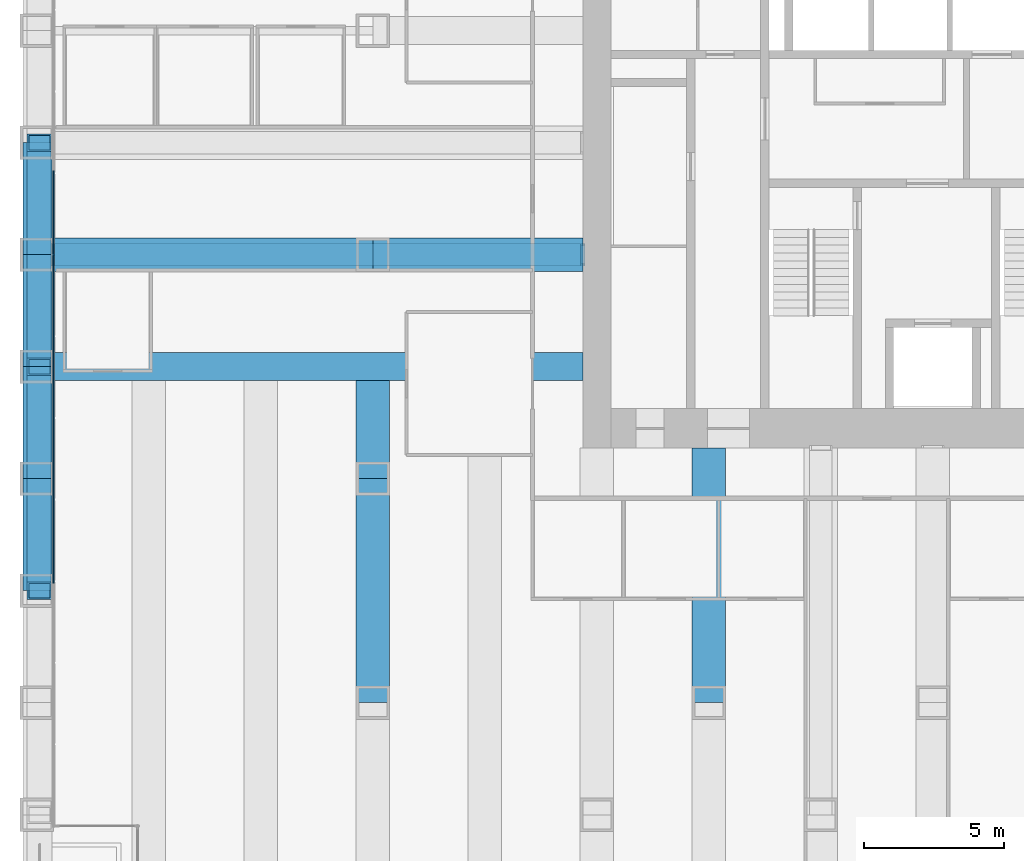
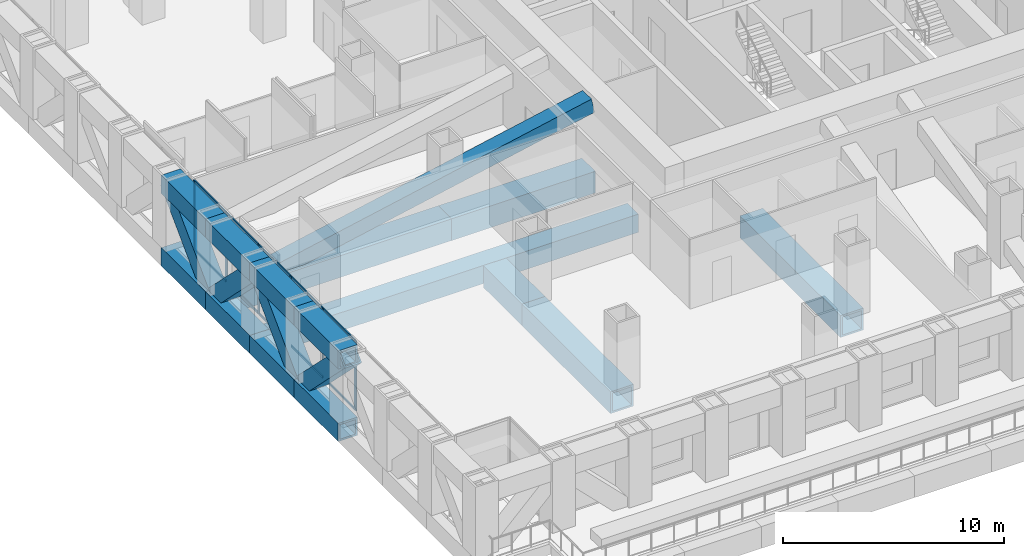
# One storey, part 4 of 18: 21 members, 14 beams, 1 element without a shape of its own.
"""IFC4 building model written with IfcOpenShell, lengths in metres."""

from ifc_helpers import new_model, si_unit, direction, frame, origin, origin_2d, place, context, subcontext, project, spatial, rectangle, hollow_rectangle, extrude, material, material_profile, profile_set, type_object, element, aggregate, save


model = new_model("IFC4")

# Units and contexts
model_context = context("Model", 3, precision=1e-05, world=origin(), true_north=direction((0.0, 1.0)))
body_context = subcontext(model_context, "Body", "Model", "MODEL_VIEW")
ifc_project = project(units=[si_unit("LENGTHUNIT", "METRE"), si_unit("AREAUNIT", "SQUARE_METRE"), si_unit("VOLUMEUNIT", "CUBIC_METRE"), si_unit("PLANEANGLEUNIT", "RADIAN"), si_unit("MASSUNIT", "GRAM", prefix="KILO")], contexts=[model_context])

# Site, building, storey
site_placement = place(None, origin())
site = spatial("IfcSite", under=ifc_project, at=site_placement, CompositionType="ELEMENT")
building_placement = place(site_placement, origin())
building = spatial("IfcBuilding", under=site, at=building_placement, Name="Rimbunsela Tower", CompositionType="ELEMENT")
storey_placement = place(building_placement, frame((0.0, 0.0, 43.0)))
storey = spatial("IfcBuildingStorey", under=building, at=storey_placement, Name="L10", CompositionType="ELEMENT", Elevation=43.0)

# Beams
ifc_material_1 = material(Name="Steel BJ 55 (fy 410 MPa)", Category="steel")
ifc_material_profile_1 = material_profile(ifc_material_1, hollow_rectangle(XDim=1.0, YDim=1.0, WallThickness=0.10009765625, at=origin_2d()), Name="BOX 1000x1000x100")
ifc_profile_set_1 = profile_set([ifc_material_profile_1], Name="Steel BJ 55 (fy 410 MPa)")
beam_type_1 = type_object("IfcBeamType", Name="Beam BOX 1000x1000x100", PredefinedType="BEAM", material=ifc_profile_set_1)
beam_1_placement = place(storey_placement, frame((-2.0, 20.0, -0.64990234375), z_axis=(1.0, 0.0, 0.0), x_axis=(0.0, 1.0, 0.0)))
element("IfcBeam", 1, at=beam_1_placement, inside=storey, type_object=beam_type_1, Name="Beam B3 L10", PredefinedType="BEAM", context=body_context, shape_type="SweptSolid", body=[
    extrude(hollow_rectangle(XDim=1.0, YDim=1.0, WallThickness=0.10009765625, at=origin_2d()), origin(), (0.0, 0.0, 1.0), 19.5),
])
ifc_material_2 = material(Name="Steel BJ 55 (fy 410 MPa)", Category="steel")
ifc_material_profile_2 = material_profile(ifc_material_2, hollow_rectangle(XDim=1.199951171875, YDim=1.199951171875, WallThickness=0.10009765625, at=origin_2d()), Name="BOX 1200x1200x100")
ifc_profile_set_2 = profile_set([ifc_material_profile_2], Name="Steel BJ 55 (fy 410 MPa)")
beam_type_2 = type_object("IfcBeamType", Name="Beam BOX 1200x1200x100", PredefinedType="BEAM", material=ifc_profile_set_2)
beam_2_placement = place(storey_placement, frame((-2.0, 24.0, -0.75), z_axis=(1.0, 0.0, 0.0), x_axis=(0.0, 1.0, 0.0)))
element("IfcBeam", 2, at=beam_2_placement, inside=storey, type_object=beam_type_2, Name="Beam B5 L10", PredefinedType="BEAM", context=body_context, shape_type="SweptSolid", body=[
    extrude(hollow_rectangle(XDim=1.199951171875, YDim=1.199951171875, WallThickness=0.10009765625, at=origin_2d()), origin(), (0.0, 0.0, 1.0), 12.0),
])
beam_3_placement = place(storey_placement, frame((10.0, 8.0, -0.75), z_axis=(0.0, 1.0, 0.0), x_axis=(-1.0, 0.0, 0.0)))
element("IfcBeam", 3, at=beam_3_placement, inside=storey, type_object=beam_type_2, Name="Beam B5 L10", PredefinedType="BEAM", context=body_context, shape_type="SweptSolid", body=[
    extrude(hollow_rectangle(XDim=1.199951171875, YDim=1.199951171875, WallThickness=0.10009765625, at=origin_2d()), origin(), (0.0, 0.0, 1.0), 8.0),
])
beam_4_placement = place(storey_placement, frame((10.0, 16.0, -0.75), z_axis=(0.0, 1.0, 0.0), x_axis=(-1.0, 0.0, 0.0)))
element("IfcBeam", 4, at=beam_4_placement, inside=storey, type_object=beam_type_2, Name="Beam B5 L10", PredefinedType="BEAM", context=body_context, shape_type="SweptSolid", body=[
    extrude(hollow_rectangle(XDim=1.199951171875, YDim=1.199951171875, WallThickness=0.10009765625, at=origin_2d()), origin(), (0.0, 0.0, 1.0), 3.5),
])
beam_5_placement = place(storey_placement, frame((10.0, 24.0, -0.75), z_axis=(1.0, 0.0, 0.0), x_axis=(0.0, 1.0, 0.0)))
element("IfcBeam", 5, at=beam_5_placement, inside=storey, type_object=beam_type_2, Name="Beam B5 L10", PredefinedType="BEAM", context=body_context, shape_type="SweptSolid", body=[
    extrude(hollow_rectangle(XDim=1.199951171875, YDim=1.199951171875, WallThickness=0.10009765625, at=origin_2d()), origin(), (0.0, 0.0, 1.0), 7.5),
])
beam_6_placement = place(storey_placement, frame((22.0, 8.0, -0.75), z_axis=(0.0, 1.0, 0.0), x_axis=(-1.0, 0.0, 0.0)))
element("IfcBeam", 6, at=beam_6_placement, inside=storey, type_object=beam_type_2, Name="Beam B5 L10", PredefinedType="BEAM", context=body_context, shape_type="SweptSolid", body=[
    extrude(hollow_rectangle(XDim=1.199951171875, YDim=1.199951171875, WallThickness=0.10009765625, at=origin_2d()), origin(), (0.0, 0.0, 1.0), 9.10009765625),
])

# Curtain wall, members
ifc_material_3 = material(Name="Aluminium curtain wall", Category="aluminium")
curtain_wall_type = type_object("IfcCurtainWallType", Name="Exoskeleton storey infill", PredefinedType="USERDEFINED", material=ifc_material_3)
curtain_wall_placement = place(storey_placement, origin())
curtain_wall = element("IfcCurtainWall", 7, at=curtain_wall_placement, inside=storey, type_object=curtain_wall_type, Name="Exoskeleton storey infill L10", ObjectType="EXOSKELETON STOREY INFILL", PredefinedType="USERDEFINED")
ifc_material_4 = material(Name="Aluminium mullion", Category="aluminium")
ifc_material_profile_3 = material_profile(ifc_material_4, rectangle(XDim=0.06005859375, YDim=0.159912109375, at=origin_2d()), Name="Mullion 60x160")
ifc_profile_set_3 = profile_set([ifc_material_profile_3], Name="Aluminium mullion")
member_type_1 = type_object("IfcMemberType", Name="Curtain wall mullion 60x160", PredefinedType="MULLION", material=ifc_profile_set_3)
member_1_placement = place(storey_placement, frame((-1.39990234375, 26.914306640625, 0.0), z_axis=(0.0, 0.0, 1.0), x_axis=(1.0, 0.0, 0.0)))
member_1 = element("IfcMember", 8, at=member_1_placement, type_object=member_type_1, Name="CW2 mullion 7", PredefinedType="MULLION", context=body_context, shape_type="SweptSolid", body=[
    extrude(rectangle(XDim=0.06005859375, YDim=0.159912109375, at=origin_2d()), origin(), (0.0, 0.0, 1.0), 3.85009765625),
])
member_2_placement = place(storey_placement, frame((-1.39990234375, 24.0, 0.0), z_axis=(0.0, 0.0, 1.0), x_axis=(1.0, 0.0, 0.0)))
member_2 = element("IfcMember", 9, at=member_2_placement, type_object=member_type_1, Name="CW2 mullion 8", PredefinedType="MULLION", context=body_context, shape_type="SweptSolid", body=[
    extrude(rectangle(XDim=0.06005859375, YDim=0.159912109375, at=origin_2d()), origin(), (0.0, 0.0, 1.0), 3.85009765625),
])
member_3_placement = place(storey_placement, frame((-1.39990234375, 21.085693359375, 0.0), z_axis=(0.0, 0.0, 1.0), x_axis=(1.0, 0.0, 0.0)))
member_3 = element("IfcMember", 10, at=member_3_placement, type_object=member_type_1, Name="CW2 mullion 9", PredefinedType="MULLION", context=body_context, shape_type="SweptSolid", body=[
    extrude(rectangle(XDim=0.06005859375, YDim=0.159912109375, at=origin_2d()), origin(), (0.0, 0.0, 1.0), 3.85009765625),
])
member_4_placement = place(storey_placement, frame((-1.39990234375, 18.17138671875, 0.0), z_axis=(0.0, 0.0, 1.0), x_axis=(1.0, 0.0, 0.0)))
member_4 = element("IfcMember", 11, at=member_4_placement, type_object=member_type_1, Name="CW2 mullion 10", PredefinedType="MULLION", context=body_context, shape_type="SweptSolid", body=[
    extrude(rectangle(XDim=0.06005859375, YDim=0.159912109375, at=origin_2d()), origin(), (0.0, 0.0, 1.0), 3.85009765625),
])
member_5_placement = place(storey_placement, frame((-1.39990234375, 15.257080078125, 0.0), z_axis=(0.0, 0.0, 1.0), x_axis=(1.0, 0.0, 0.0)))
member_5 = element("IfcMember", 12, at=member_5_placement, type_object=member_type_1, Name="CW2 mullion 11", PredefinedType="MULLION", context=body_context, shape_type="SweptSolid", body=[
    extrude(rectangle(XDim=0.06005859375, YDim=0.159912109375, at=origin_2d()), origin(), (0.0, 0.0, 1.0), 3.85009765625),
])
member_6_placement = place(storey_placement, frame((-1.39990234375, 12.3427734375, 0.0), z_axis=(0.0, 0.0, 1.0), x_axis=(1.0, 0.0, 0.0)))
member_6 = element("IfcMember", 13, at=member_6_placement, type_object=member_type_1, Name="CW2 mullion 12", PredefinedType="MULLION", context=body_context, shape_type="SweptSolid", body=[
    extrude(rectangle(XDim=0.06005859375, YDim=0.159912109375, at=origin_2d()), origin(), (0.0, 0.0, 1.0), 3.85009765625),
])
ifc_material_5 = material(Name="Aluminium transom", Category="aluminium")
ifc_material_profile_4 = material_profile(ifc_material_5, rectangle(XDim=0.06005859375, YDim=0.1201171875, at=origin_2d()), Name="Transom 60x120")
ifc_profile_set_4 = profile_set([ifc_material_profile_4], Name="Aluminium transom")
member_type_2 = type_object("IfcMemberType", Name="Curtain wall transom 60x120", PredefinedType="USERDEFINED", material=ifc_profile_set_4)
member_7_placement = place(storey_placement, frame((-1.39990234375, 26.88427734375, 0.030029296875), z_axis=(0.0, -1.0, 0.0), x_axis=(1.0, 0.0, 0.0)))
member_7 = element("IfcMember", 14, at=member_7_placement, type_object=member_type_2, Name="CW2 transom 7.1", ObjectType="TRANSOM", PredefinedType="USERDEFINED", context=body_context, shape_type="SweptSolid", body=[
    extrude(rectangle(XDim=0.06005859375, YDim=0.1201171875, at=origin_2d()), origin(), (0.0, 0.0, 1.0), 2.854248046875),
])
member_8_placement = place(storey_placement, frame((-1.39990234375, 26.88427734375, 3.820068359375), z_axis=(0.0, -1.0, 0.0), x_axis=(1.0, 0.0, 0.0)))
member_8 = element("IfcMember", 15, at=member_8_placement, type_object=member_type_2, Name="CW2 transom 7.2", ObjectType="TRANSOM", PredefinedType="USERDEFINED", context=body_context, shape_type="SweptSolid", body=[
    extrude(rectangle(XDim=0.06005859375, YDim=0.1201171875, at=origin_2d()), origin(), (0.0, 0.0, 1.0), 2.854248046875),
])
member_9_placement = place(storey_placement, frame((-1.39990234375, 23.969970703125, 0.030029296875), z_axis=(0.0, -1.0, 0.0), x_axis=(1.0, 0.0, 0.0)))
member_9 = element("IfcMember", 16, at=member_9_placement, type_object=member_type_2, Name="CW2 transom 8.1", ObjectType="TRANSOM", PredefinedType="USERDEFINED", context=body_context, shape_type="SweptSolid", body=[
    extrude(rectangle(XDim=0.06005859375, YDim=0.1201171875, at=origin_2d()), origin(), (0.0, 0.0, 1.0), 2.854248046875),
])
member_10_placement = place(storey_placement, frame((-1.39990234375, 23.969970703125, 3.820068359375), z_axis=(0.0, -1.0, 0.0), x_axis=(1.0, 0.0, 0.0)))
member_10 = element("IfcMember", 17, at=member_10_placement, type_object=member_type_2, Name="CW2 transom 8.2", ObjectType="TRANSOM", PredefinedType="USERDEFINED", context=body_context, shape_type="SweptSolid", body=[
    extrude(rectangle(XDim=0.06005859375, YDim=0.1201171875, at=origin_2d()), origin(), (0.0, 0.0, 1.0), 2.854248046875),
])
member_11_placement = place(storey_placement, frame((-1.39990234375, 21.0556640625, 0.030029296875), z_axis=(0.0, -1.0, 0.0), x_axis=(1.0, 0.0, 0.0)))
member_11 = element("IfcMember", 18, at=member_11_placement, type_object=member_type_2, Name="CW2 transom 9.1", ObjectType="TRANSOM", PredefinedType="USERDEFINED", context=body_context, shape_type="SweptSolid", body=[
    extrude(rectangle(XDim=0.06005859375, YDim=0.1201171875, at=origin_2d()), origin(), (0.0, 0.0, 1.0), 2.854248046875),
])
member_12_placement = place(storey_placement, frame((-1.39990234375, 21.0556640625, 3.820068359375), z_axis=(0.0, -1.0, 0.0), x_axis=(1.0, 0.0, 0.0)))
member_12 = element("IfcMember", 19, at=member_12_placement, type_object=member_type_2, Name="CW2 transom 9.2", ObjectType="TRANSOM", PredefinedType="USERDEFINED", context=body_context, shape_type="SweptSolid", body=[
    extrude(rectangle(XDim=0.06005859375, YDim=0.1201171875, at=origin_2d()), origin(), (0.0, 0.0, 1.0), 2.854248046875),
])
member_13_placement = place(storey_placement, frame((-1.39990234375, 18.141357421875, 0.030029296875), z_axis=(0.0, -1.0, 0.0), x_axis=(1.0, 0.0, 0.0)))
member_13 = element("IfcMember", 20, at=member_13_placement, type_object=member_type_2, Name="CW2 transom 10.1", ObjectType="TRANSOM", PredefinedType="USERDEFINED", context=body_context, shape_type="SweptSolid", body=[
    extrude(rectangle(XDim=0.06005859375, YDim=0.1201171875, at=origin_2d()), origin(), (0.0, 0.0, 1.0), 2.854248046875),
])
member_14_placement = place(storey_placement, frame((-1.39990234375, 18.141357421875, 3.820068359375), z_axis=(0.0, -1.0, 0.0), x_axis=(1.0, 0.0, 0.0)))
member_14 = element("IfcMember", 21, at=member_14_placement, type_object=member_type_2, Name="CW2 transom 10.2", ObjectType="TRANSOM", PredefinedType="USERDEFINED", context=body_context, shape_type="SweptSolid", body=[
    extrude(rectangle(XDim=0.06005859375, YDim=0.1201171875, at=origin_2d()), origin(), (0.0, 0.0, 1.0), 2.854248046875),
])
member_15_placement = place(storey_placement, frame((-1.39990234375, 15.22705078125, 0.030029296875), z_axis=(0.0, -1.0, 0.0), x_axis=(1.0, 0.0, 0.0)))
member_15 = element("IfcMember", 22, at=member_15_placement, type_object=member_type_2, Name="CW2 transom 11.1", ObjectType="TRANSOM", PredefinedType="USERDEFINED", context=body_context, shape_type="SweptSolid", body=[
    extrude(rectangle(XDim=0.06005859375, YDim=0.1201171875, at=origin_2d()), origin(), (0.0, 0.0, 1.0), 2.854248046875),
])
member_16_placement = place(storey_placement, frame((-1.39990234375, 15.22705078125, 3.820068359375), z_axis=(0.0, -1.0, 0.0), x_axis=(1.0, 0.0, 0.0)))
member_16 = element("IfcMember", 23, at=member_16_placement, type_object=member_type_2, Name="CW2 transom 11.2", ObjectType="TRANSOM", PredefinedType="USERDEFINED", context=body_context, shape_type="SweptSolid", body=[
    extrude(rectangle(XDim=0.06005859375, YDim=0.1201171875, at=origin_2d()), origin(), (0.0, 0.0, 1.0), 2.854248046875),
])
aggregate(curtain_wall, [member_1, member_2, member_3, member_4, member_5, member_6, member_7, member_8, member_9, member_10, member_11, member_12, member_13, member_14, member_15, member_16])

# Member
ifc_material_6 = material(Name="Steel BJ 55 (fy 410 MPa)", Category="steel")
ifc_material_profile_5 = material_profile(ifc_material_6, hollow_rectangle(XDim=0.800048828125, YDim=0.800048828125, WallThickness=0.06005859375, at=origin_2d()), Name="BOX 800x800x60")
ifc_profile_set_5 = profile_set([ifc_material_profile_5], Name="Steel BJ 55 (fy 410 MPa)")
member_type_3 = type_object("IfcMemberType", Name="Outrigger brace BOX 800x800x60", PredefinedType="BRACE", material=ifc_profile_set_5)
member_17_placement = place(storey_placement, frame((-2.0, 24.0, -0.64990234375), z_axis=(0.979602700641, 0.0, 0.200944143721), x_axis=(0.0, 1.0, 0.0)))
element("IfcMember", 24, at=member_17_placement, inside=storey, type_object=member_type_3, Name="Outrigger brace OB1 W L10", PredefinedType="BRACE", context=body_context, shape_type="SweptSolid", body=[
    extrude(hollow_rectangle(XDim=0.800048828125, YDim=0.800048828125, WallThickness=0.06005859375, at=origin_2d()), origin(), (0.0, 0.0, 1.0), 19.906005859375),
])

# Beams
ifc_material_7 = material(Name="Steel BJ 55 (fy 410 MPa)", Category="steel")
ifc_material_profile_6 = material_profile(ifc_material_7, hollow_rectangle(XDim=1.0, YDim=1.0, WallThickness=0.10009765625, at=origin_2d()), Name="BOX 1000x1000x100")
ifc_profile_set_6 = profile_set([ifc_material_profile_6], Name="Steel BJ 55 (fy 410 MPa)")
beam_type_3 = type_object("IfcBeamType", Name="Truss chord BOX 1000x1000x100", PredefinedType="USERDEFINED", material=ifc_profile_set_6)
for number, where, z_axis, x_axis, name in (
    (25, (-2.0, 12.0, 3.35009765625), (0.0, 1.0, 0.0), (-1.0, 0.0, 0.0), "Truss top chord TC1 W face L10"),
    (26, (-2.0, 16.0, 3.35009765625), (0.0, 1.0, 0.0), (-1.0, 0.0, 0.0), "Truss top chord TC1 W face L10"),
    (27, (-2.0, 20.0, 3.35009765625), (0.0, 1.0, 0.0), (-1.0, 0.0, 0.0), "Truss top chord TC1 W face L10"),
    (28, (-2.0, 24.0, 3.35009765625), (0.0, 1.0, 0.0), (-1.0, 0.0, 0.0), "Truss top chord TC1 W face L10"),
    (29, (-2.0, 12.0, -0.64990234375), (0.0, 1.0, 0.0), (-1.0, 0.0, 0.0), "Truss bottom chord TC1 W face L10"),
    (30, (-2.0, 16.0, -0.64990234375), (0.0, 1.0, 0.0), (-1.0, 0.0, 0.0), "Truss bottom chord TC1 W face L10"),
    (31, (-2.0, 20.0, -0.64990234375), (0.0, 1.0, 0.0), (-1.0, 0.0, 0.0), "Truss bottom chord TC1 W face L10"),
    (32, (-2.0, 24.0, -0.64990234375), (0.0, 1.0, 0.0), (-1.0, 0.0, 0.0), "Truss bottom chord TC1 W face L10"),
):
    element("IfcBeam", number, at=place(storey_placement, frame(where, z_axis=z_axis, x_axis=x_axis)), inside=storey, type_object=beam_type_3, Name=name, ObjectType="TRUSS CHORD", PredefinedType="USERDEFINED", context=body_context, shape_type="SweptSolid", body=[
        extrude(hollow_rectangle(XDim=1.0, YDim=1.0, WallThickness=0.10009765625, at=origin_2d()), origin(), (0.0, 0.0, 1.0), 4.0),
    ])

# Members
ifc_material_8 = material(Name="Steel BJ 55 (fy 410 MPa)", Category="steel")
ifc_material_profile_7 = material_profile(ifc_material_8, hollow_rectangle(XDim=0.89990234375, YDim=0.89990234375, WallThickness=0.080078125, at=origin_2d()), Name="BOX 900x900x80")
ifc_profile_set_7 = profile_set([ifc_material_profile_7], Name="Steel BJ 55 (fy 410 MPa)")
member_type_4 = type_object("IfcMemberType", Name="Truss diagonal BOX 900x900x80", PredefinedType="BRACE", material=ifc_profile_set_7)
for number, where, z_axis, x_axis, name in (
    (33, (-1.89990234375, 12.0, 3.35009765625), (0.0, 0.707106781187, -0.707106781187), (-1.0, 0.0, 0.0), "Truss diagonal TD1 W face L10"),
    (34, (-1.89990234375, 16.0, -0.64990234375), (0.0, 0.707106781187, 0.707106781187), (-1.0, 0.0, 0.0), "Truss diagonal TD1 W face L10"),
    (35, (-1.89990234375, 20.0, 3.35009765625), (0.0, 0.707106781187, -0.707106781187), (-1.0, 0.0, 0.0), "Truss diagonal TD1 W face L10"),
    (36, (-1.89990234375, 24.0, -0.64990234375), (0.0, 0.707106781187, 0.707106781187), (-1.0, 0.0, 0.0), "Truss diagonal TD1 W face L10"),
):
    element("IfcMember", number, at=place(storey_placement, frame(where, z_axis=z_axis, x_axis=x_axis)), inside=storey, type_object=member_type_4, Name=name, PredefinedType="BRACE", context=body_context, shape_type="SweptSolid", body=[
        extrude(hollow_rectangle(XDim=0.89990234375, YDim=0.89990234375, WallThickness=0.080078125, at=origin_2d()), origin(), (0.0, 0.0, 1.0), 5.65673828125),
    ])

save(model, "model.ifc")
